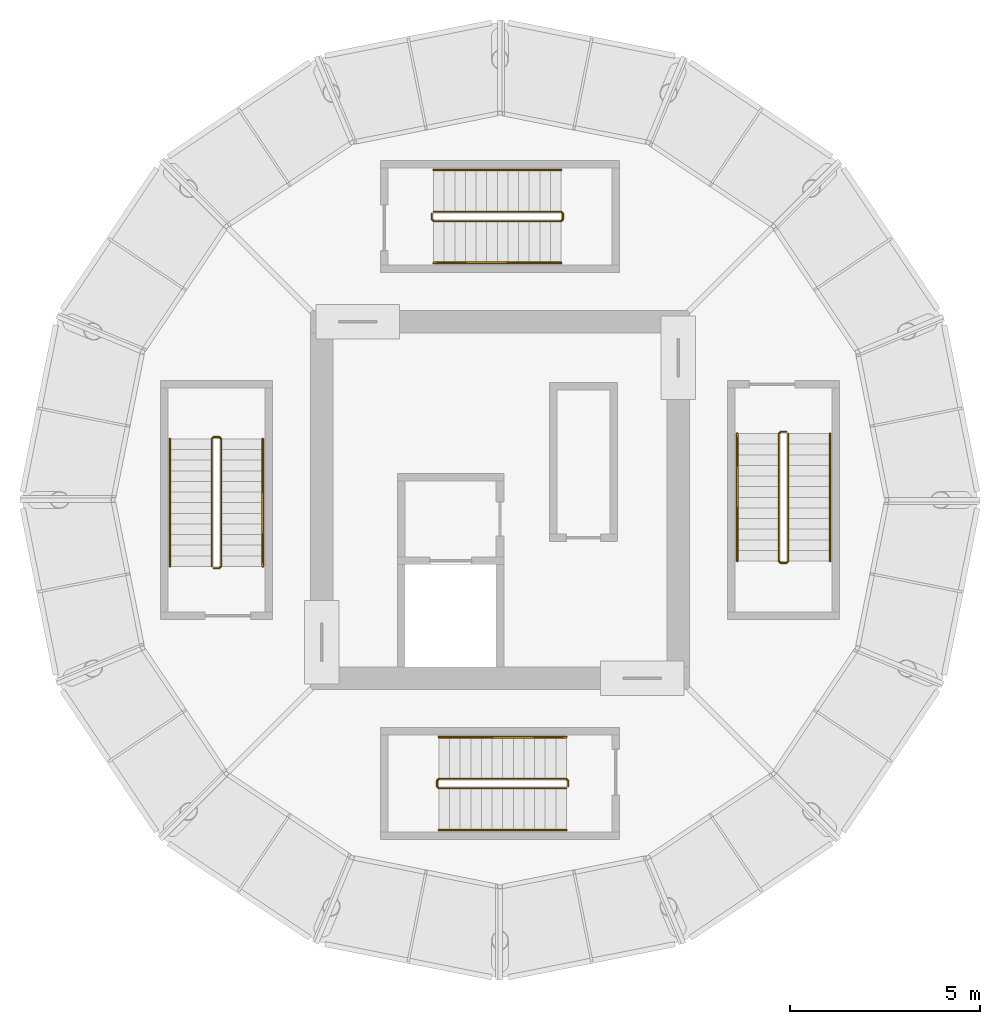
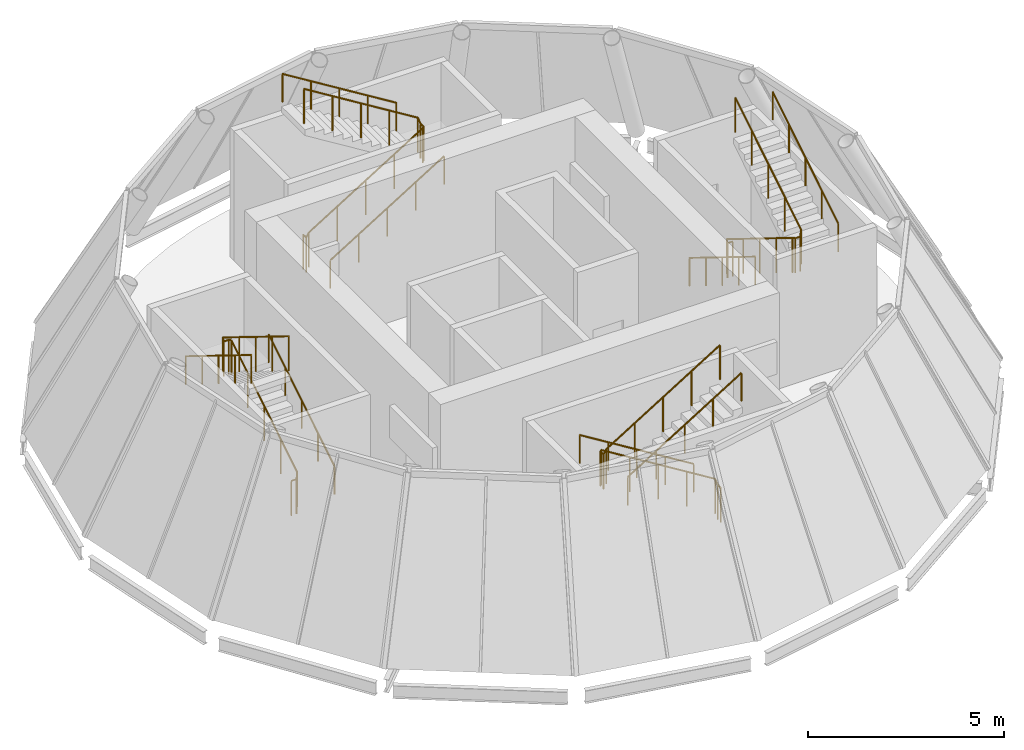
# One storey, part 5 of 5: 12 railings.
"""IFC4 building model written with IfcOpenShell, lengths in metres."""

from ifc_helpers import new_model, si_unit, direction, frame, origin, origin_2d, place, context, subcontext, project, spatial, circle, extrude, material, type_object, element, save


model = new_model("IFC4")

# Units and contexts
model_context = context("Model", 3, precision=1e-05, world=origin(), true_north=direction((0.0, 1.0)))
body_context = subcontext(model_context, "Body", "Model", "MODEL_VIEW")
ifc_project = project(units=[si_unit("LENGTHUNIT", "METRE"), si_unit("AREAUNIT", "SQUARE_METRE"), si_unit("VOLUMEUNIT", "CUBIC_METRE"), si_unit("PLANEANGLEUNIT", "RADIAN"), si_unit("MASSUNIT", "GRAM", prefix="KILO")], contexts=[model_context])

# Site, building, storey
site_placement = place(None, origin())
site = spatial("IfcSite", under=ifc_project, at=site_placement, CompositionType="ELEMENT")
building_placement = place(site_placement, origin())
building = spatial("IfcBuilding", under=site, at=building_placement, Name="Corvane Civic Tower", CompositionType="ELEMENT")
storey_placement = place(building_placement, frame((0.0, 0.0, 402.0)))
storey = spatial("IfcBuildingStorey", under=building, at=storey_placement, Name="L95", CompositionType="ELEMENT", Elevation=402.0)

# Railings
ifc_material_1 = material(Name="Steel ASTM A572 Gr 50", Category="steel")
railing_type_1 = type_object("IfcRailingType", Name="ST-GUARD-1100", PredefinedType="GUARDRAIL", material=ifc_material_1)
railing_1_placement = place(storey_placement, frame((7.550048828125, 1.800048828125, 0.0)))
element("IfcRailing", 1, at=railing_1_placement, inside=storey, type_object=railing_type_1, Name="L95 CS1 stair guard 1", PredefinedType="GUARDRAIL", context=body_context, shape_type="SweptSolid", body=[
    extrude(circle(Radius=0.02392578125, at=origin_2d()), frame((0.0, 0.0, 1.076171875), z_axis=(-1.0, 0.0, 0.0), x_axis=(0.0, -1.0, 0.0)), (0.0, 0.0, 1.0), 0.150146484375),
    extrude(circle(Radius=0.02392578125, at=origin_2d()), frame((-0.150146484375, 0.0, 1.076171875), z_axis=(-0.266417085129, -0.267723051232, 0.925929967433), x_axis=(0.708833529934, -0.705375805398, 0.0)), (0.0, 0.0, 1.0), 0.18701171875),
    extrude(circle(Radius=0.02392578125, at=origin_2d()), frame((-0.199951171875, -0.050048828125, 1.2490234375), z_axis=(0.0, -0.850623216509, 0.525775754039), x_axis=(1.0, 0.0, 0.0)), (0.0, 0.0, 1.0), 3.9501953125),
    extrude(circle(Radius=0.02392578125, at=origin_2d()), frame((-0.199951171875, -3.41015625, 3.326171875), z_axis=(0.707106781187, -0.707106781187, 0.0), x_axis=(0.707106781187, 0.707106781187, 0.0)), (0.0, 0.0, 1.0), 0.0703125),
    extrude(circle(Radius=0.02392578125, at=origin_2d()), frame((-0.150146484375, -3.4599609375, 3.326171875), z_axis=(1.0, 0.0, 0.0), x_axis=(0.0, 1.0, 0.0)), (0.0, 0.0, 1.0), 0.150146484375),
    extrude(circle(Radius=0.02392578125, at=origin_2d()), frame((0.0, -3.4599609375, 3.326171875), z_axis=(0.267723051232, 0.266417085129, 0.925929967433), x_axis=(-0.705375805398, 0.708833529934, 0.0)), (0.0, 0.0, 1.0), 0.18701171875),
    extrude(circle(Radius=0.02392578125, at=origin_2d()), frame((0.050048828125, -3.41015625, 3.4990234375), z_axis=(0.0, 0.850623216509, 0.525775754039), x_axis=(-1.0, 0.0, 0.0)), (0.0, 0.0, 1.0), 3.9501953125),
    extrude(circle(Radius=0.02099609375, at=origin_2d()), origin(), (0.0, 0.0, 1.0), 1.052001953125),
    extrude(circle(Radius=0.02099609375, at=origin_2d()), frame((-0.150146484375, 0.0, 0.0)), (0.0, 0.0, 1.0), 1.052001953125),
    extrude(circle(Radius=0.02099609375, at=origin_2d()), frame((-0.199951171875, -0.050048828125, 0.173095703125)), (0.0, 0.0, 1.0), 1.052001953125),
    extrude(circle(Radius=0.02099609375, at=origin_2d()), frame((-0.199951171875, -0.89013671875, 0.6923828125)), (0.0, 0.0, 1.0), 1.052001953125),
    extrude(circle(Radius=0.02099609375, at=origin_2d()), frame((-0.199951171875, -1.72998046875, 1.21142578125)), (0.0, 0.0, 1.0), 1.052001953125),
    extrude(circle(Radius=0.02099609375, at=origin_2d()), frame((-0.199951171875, -2.570068359375, 1.730712890625)), (0.0, 0.0, 1.0), 1.052001953125),
    extrude(circle(Radius=0.02099609375, at=origin_2d()), frame((-0.199951171875, -3.41015625, 2.25)), (0.0, 0.0, 1.0), 1.052001953125),
    extrude(circle(Radius=0.02099609375, at=origin_2d()), frame((-0.150146484375, -3.4599609375, 2.25)), (0.0, 0.0, 1.0), 1.052001953125),
    extrude(circle(Radius=0.02099609375, at=origin_2d()), frame((0.0, -3.4599609375, 2.25)), (0.0, 0.0, 1.0), 1.052001953125),
    extrude(circle(Radius=0.02099609375, at=origin_2d()), frame((0.050048828125, -3.41015625, 2.423095703125)), (0.0, 0.0, 1.0), 1.052001953125),
    extrude(circle(Radius=0.02099609375, at=origin_2d()), frame((0.050048828125, -2.570068359375, 2.9423828125)), (0.0, 0.0, 1.0), 1.052001953125),
    extrude(circle(Radius=0.02099609375, at=origin_2d()), frame((0.050048828125, -1.72998046875, 3.46142578125)), (0.0, 0.0, 1.0), 1.052001953125),
    extrude(circle(Radius=0.02099609375, at=origin_2d()), frame((0.050048828125, -0.89013671875, 3.980712890625)), (0.0, 0.0, 1.0), 1.052001953125),
    extrude(circle(Radius=0.02099609375, at=origin_2d()), frame((0.050048828125, -0.050048828125, 4.5)), (0.0, 0.0, 1.0), 1.052001953125),
])
railing_2_placement = place(storey_placement, frame((-1.800048828125, 7.550048828125, 0.0)))
element("IfcRailing", 2, at=railing_2_placement, inside=storey, type_object=railing_type_1, Name="L95 CS2 stair guard 1", PredefinedType="GUARDRAIL", context=body_context, shape_type="SweptSolid", body=[
    extrude(circle(Radius=0.02392578125, at=origin_2d()), frame((0.0, 0.0, 1.076171875), z_axis=(0.0, -1.0, 0.0), x_axis=(1.0, 0.0, 0.0)), (0.0, 0.0, 1.0), 0.150146484375),
    extrude(circle(Radius=0.02392578125, at=origin_2d()), frame((0.0, -0.150146484375, 1.076171875), z_axis=(0.267723051232, -0.266417085129, 0.925929967433), x_axis=(0.705375805398, 0.708833529934, 0.0)), (0.0, 0.0, 1.0), 0.18701171875),
    extrude(circle(Radius=0.02392578125, at=origin_2d()), frame((0.050048828125, -0.199951171875, 1.2490234375), z_axis=(0.850623216509, 0.0, 0.525775754039), x_axis=(0.0, 1.0, 0.0)), (0.0, 0.0, 1.0), 3.9501953125),
    extrude(circle(Radius=0.02392578125, at=origin_2d()), frame((3.41015625, -0.199951171875, 3.326171875), z_axis=(0.707106781187, 0.707106781187, 0.0), x_axis=(-0.707106781187, 0.707106781187, 0.0)), (0.0, 0.0, 1.0), 0.0703125),
    extrude(circle(Radius=0.02392578125, at=origin_2d()), frame((3.4599609375, -0.150146484375, 3.326171875), z_axis=(0.0, 1.0, 0.0), x_axis=(-1.0, 0.0, 0.0)), (0.0, 0.0, 1.0), 0.150146484375),
    extrude(circle(Radius=0.02392578125, at=origin_2d()), frame((3.4599609375, 0.0, 3.326171875), z_axis=(-0.266417085129, 0.267723051232, 0.925929967433), x_axis=(-0.708833529934, -0.705375805398, 0.0)), (0.0, 0.0, 1.0), 0.18701171875),
    extrude(circle(Radius=0.02392578125, at=origin_2d()), frame((3.41015625, 0.050048828125, 3.4990234375), z_axis=(-0.850623216509, 0.0, 0.525775754039), x_axis=(0.0, -1.0, 0.0)), (0.0, 0.0, 1.0), 3.9501953125),
    extrude(circle(Radius=0.02099609375, at=origin_2d()), origin(), (0.0, 0.0, 1.0), 1.052001953125),
    extrude(circle(Radius=0.02099609375, at=origin_2d()), frame((0.0, -0.150146484375, 0.0)), (0.0, 0.0, 1.0), 1.052001953125),
    extrude(circle(Radius=0.02099609375, at=origin_2d()), frame((0.050048828125, -0.199951171875, 0.173095703125)), (0.0, 0.0, 1.0), 1.052001953125),
    extrude(circle(Radius=0.02099609375, at=origin_2d()), frame((0.89013671875, -0.199951171875, 0.6923828125)), (0.0, 0.0, 1.0), 1.052001953125),
    extrude(circle(Radius=0.02099609375, at=origin_2d()), frame((1.72998046875, -0.199951171875, 1.21142578125)), (0.0, 0.0, 1.0), 1.052001953125),
    extrude(circle(Radius=0.02099609375, at=origin_2d()), frame((2.570068359375, -0.199951171875, 1.730712890625)), (0.0, 0.0, 1.0), 1.052001953125),
    extrude(circle(Radius=0.02099609375, at=origin_2d()), frame((3.41015625, -0.199951171875, 2.25)), (0.0, 0.0, 1.0), 1.052001953125),
    extrude(circle(Radius=0.02099609375, at=origin_2d()), frame((3.4599609375, -0.150146484375, 2.25)), (0.0, 0.0, 1.0), 1.052001953125),
    extrude(circle(Radius=0.02099609375, at=origin_2d()), frame((3.4599609375, 0.0, 2.25)), (0.0, 0.0, 1.0), 1.052001953125),
    extrude(circle(Radius=0.02099609375, at=origin_2d()), frame((3.41015625, 0.050048828125, 2.423095703125)), (0.0, 0.0, 1.0), 1.052001953125),
    extrude(circle(Radius=0.02099609375, at=origin_2d()), frame((2.570068359375, 0.050048828125, 2.9423828125)), (0.0, 0.0, 1.0), 1.052001953125),
    extrude(circle(Radius=0.02099609375, at=origin_2d()), frame((1.72998046875, 0.050048828125, 3.46142578125)), (0.0, 0.0, 1.0), 1.052001953125),
    extrude(circle(Radius=0.02099609375, at=origin_2d()), frame((0.89013671875, 0.050048828125, 3.980712890625)), (0.0, 0.0, 1.0), 1.052001953125),
    extrude(circle(Radius=0.02099609375, at=origin_2d()), frame((0.050048828125, 0.050048828125, 4.5)), (0.0, 0.0, 1.0), 1.052001953125),
])
railing_3_placement = place(storey_placement, frame((-7.550048828125, -1.800048828125, 0.0)))
element("IfcRailing", 3, at=railing_3_placement, inside=storey, type_object=railing_type_1, Name="L95 CS3 stair guard 1", PredefinedType="GUARDRAIL", context=body_context, shape_type="SweptSolid", body=[
    extrude(circle(Radius=0.02392578125, at=origin_2d()), frame((0.0, 0.0, 1.076171875), z_axis=(1.0, 0.0, 0.0), x_axis=(0.0, 1.0, 0.0)), (0.0, 0.0, 1.0), 0.150146484375),
    extrude(circle(Radius=0.02392578125, at=origin_2d()), frame((0.150146484375, 0.0, 1.076171875), z_axis=(0.266417085129, 0.267723051232, 0.925929967433), x_axis=(-0.708833529934, 0.705375805398, 0.0)), (0.0, 0.0, 1.0), 0.18701171875),
    extrude(circle(Radius=0.02392578125, at=origin_2d()), frame((0.199951171875, 0.050048828125, 1.2490234375), z_axis=(0.0, 0.850623216509, 0.525775754039), x_axis=(-1.0, 0.0, 0.0)), (0.0, 0.0, 1.0), 3.9501953125),
    extrude(circle(Radius=0.02392578125, at=origin_2d()), frame((0.199951171875, 3.41015625, 3.326171875), z_axis=(-0.707106781187, 0.707106781187, 0.0), x_axis=(-0.707106781187, -0.707106781187, 0.0)), (0.0, 0.0, 1.0), 0.0703125),
    extrude(circle(Radius=0.02392578125, at=origin_2d()), frame((0.150146484375, 3.4599609375, 3.326171875), z_axis=(-1.0, 0.0, 0.0), x_axis=(0.0, -1.0, 0.0)), (0.0, 0.0, 1.0), 0.150146484375),
    extrude(circle(Radius=0.02392578125, at=origin_2d()), frame((0.0, 3.4599609375, 3.326171875), z_axis=(-0.267723051232, -0.266417085129, 0.925929967433), x_axis=(0.705375805398, -0.708833529934, 0.0)), (0.0, 0.0, 1.0), 0.18701171875),
    extrude(circle(Radius=0.02392578125, at=origin_2d()), frame((-0.050048828125, 3.41015625, 3.4990234375), z_axis=(0.0, -0.850623216509, 0.525775754039), x_axis=(1.0, 0.0, 0.0)), (0.0, 0.0, 1.0), 3.9501953125),
    extrude(circle(Radius=0.02099609375, at=origin_2d()), origin(), (0.0, 0.0, 1.0), 1.052001953125),
    extrude(circle(Radius=0.02099609375, at=origin_2d()), frame((0.150146484375, 0.0, 0.0)), (0.0, 0.0, 1.0), 1.052001953125),
    extrude(circle(Radius=0.02099609375, at=origin_2d()), frame((0.199951171875, 0.050048828125, 0.173095703125)), (0.0, 0.0, 1.0), 1.052001953125),
    extrude(circle(Radius=0.02099609375, at=origin_2d()), frame((0.199951171875, 0.89013671875, 0.6923828125)), (0.0, 0.0, 1.0), 1.052001953125),
    extrude(circle(Radius=0.02099609375, at=origin_2d()), frame((0.199951171875, 1.72998046875, 1.21142578125)), (0.0, 0.0, 1.0), 1.052001953125),
    extrude(circle(Radius=0.02099609375, at=origin_2d()), frame((0.199951171875, 2.570068359375, 1.730712890625)), (0.0, 0.0, 1.0), 1.052001953125),
    extrude(circle(Radius=0.02099609375, at=origin_2d()), frame((0.199951171875, 3.41015625, 2.25)), (0.0, 0.0, 1.0), 1.052001953125),
    extrude(circle(Radius=0.02099609375, at=origin_2d()), frame((0.150146484375, 3.4599609375, 2.25)), (0.0, 0.0, 1.0), 1.052001953125),
    extrude(circle(Radius=0.02099609375, at=origin_2d()), frame((0.0, 3.4599609375, 2.25)), (0.0, 0.0, 1.0), 1.052001953125),
    extrude(circle(Radius=0.02099609375, at=origin_2d()), frame((-0.050048828125, 3.41015625, 2.423095703125)), (0.0, 0.0, 1.0), 1.052001953125),
    extrude(circle(Radius=0.02099609375, at=origin_2d()), frame((-0.050048828125, 2.570068359375, 2.9423828125)), (0.0, 0.0, 1.0), 1.052001953125),
    extrude(circle(Radius=0.02099609375, at=origin_2d()), frame((-0.050048828125, 1.72998046875, 3.46142578125)), (0.0, 0.0, 1.0), 1.052001953125),
    extrude(circle(Radius=0.02099609375, at=origin_2d()), frame((-0.050048828125, 0.89013671875, 3.980712890625)), (0.0, 0.0, 1.0), 1.052001953125),
    extrude(circle(Radius=0.02099609375, at=origin_2d()), frame((-0.050048828125, 0.050048828125, 4.5)), (0.0, 0.0, 1.0), 1.052001953125),
])
railing_4_placement = place(storey_placement, frame((1.800048828125, -7.550048828125, 0.0)))
element("IfcRailing", 4, at=railing_4_placement, inside=storey, type_object=railing_type_1, Name="L95 CS4 stair guard 1", PredefinedType="GUARDRAIL", context=body_context, shape_type="SweptSolid", body=[
    extrude(circle(Radius=0.02392578125, at=origin_2d()), frame((0.0, 0.0, 1.076171875), z_axis=(0.0, 1.0, 0.0), x_axis=(-1.0, 0.0, 0.0)), (0.0, 0.0, 1.0), 0.150146484375),
    extrude(circle(Radius=0.02392578125, at=origin_2d()), frame((0.0, 0.150146484375, 1.076171875), z_axis=(-0.267723051232, 0.266417085129, 0.925929967433), x_axis=(-0.705375805398, -0.708833529934, 0.0)), (0.0, 0.0, 1.0), 0.18701171875),
    extrude(circle(Radius=0.02392578125, at=origin_2d()), frame((-0.050048828125, 0.199951171875, 1.2490234375), z_axis=(-0.850623216509, 0.0, 0.525775754039), x_axis=(0.0, -1.0, 0.0)), (0.0, 0.0, 1.0), 3.9501953125),
    extrude(circle(Radius=0.02392578125, at=origin_2d()), frame((-3.41015625, 0.199951171875, 3.326171875), z_axis=(-0.707106781187, -0.707106781187, 0.0), x_axis=(0.707106781187, -0.707106781187, 0.0)), (0.0, 0.0, 1.0), 0.0703125),
    extrude(circle(Radius=0.02392578125, at=origin_2d()), frame((-3.4599609375, 0.150146484375, 3.326171875), z_axis=(0.0, -1.0, 0.0), x_axis=(1.0, 0.0, 0.0)), (0.0, 0.0, 1.0), 0.150146484375),
    extrude(circle(Radius=0.02392578125, at=origin_2d()), frame((-3.4599609375, 0.0, 3.326171875), z_axis=(0.266417085129, -0.267723051232, 0.925929967433), x_axis=(0.708833529934, 0.705375805398, 0.0)), (0.0, 0.0, 1.0), 0.18701171875),
    extrude(circle(Radius=0.02392578125, at=origin_2d()), frame((-3.41015625, -0.050048828125, 3.4990234375), z_axis=(0.850623216509, 0.0, 0.525775754039), x_axis=(0.0, 1.0, 0.0)), (0.0, 0.0, 1.0), 3.9501953125),
    extrude(circle(Radius=0.02099609375, at=origin_2d()), origin(), (0.0, 0.0, 1.0), 1.052001953125),
    extrude(circle(Radius=0.02099609375, at=origin_2d()), frame((0.0, 0.150146484375, 0.0)), (0.0, 0.0, 1.0), 1.052001953125),
    extrude(circle(Radius=0.02099609375, at=origin_2d()), frame((-0.050048828125, 0.199951171875, 0.173095703125)), (0.0, 0.0, 1.0), 1.052001953125),
    extrude(circle(Radius=0.02099609375, at=origin_2d()), frame((-0.89013671875, 0.199951171875, 0.6923828125)), (0.0, 0.0, 1.0), 1.052001953125),
    extrude(circle(Radius=0.02099609375, at=origin_2d()), frame((-1.72998046875, 0.199951171875, 1.21142578125)), (0.0, 0.0, 1.0), 1.052001953125),
    extrude(circle(Radius=0.02099609375, at=origin_2d()), frame((-2.570068359375, 0.199951171875, 1.730712890625)), (0.0, 0.0, 1.0), 1.052001953125),
    extrude(circle(Radius=0.02099609375, at=origin_2d()), frame((-3.41015625, 0.199951171875, 2.25)), (0.0, 0.0, 1.0), 1.052001953125),
    extrude(circle(Radius=0.02099609375, at=origin_2d()), frame((-3.4599609375, 0.150146484375, 2.25)), (0.0, 0.0, 1.0), 1.052001953125),
    extrude(circle(Radius=0.02099609375, at=origin_2d()), frame((-3.4599609375, 0.0, 2.25)), (0.0, 0.0, 1.0), 1.052001953125),
    extrude(circle(Radius=0.02099609375, at=origin_2d()), frame((-3.41015625, -0.050048828125, 2.423095703125)), (0.0, 0.0, 1.0), 1.052001953125),
    extrude(circle(Radius=0.02099609375, at=origin_2d()), frame((-2.570068359375, -0.050048828125, 2.9423828125)), (0.0, 0.0, 1.0), 1.052001953125),
    extrude(circle(Radius=0.02099609375, at=origin_2d()), frame((-1.72998046875, -0.050048828125, 3.46142578125)), (0.0, 0.0, 1.0), 1.052001953125),
    extrude(circle(Radius=0.02099609375, at=origin_2d()), frame((-0.89013671875, -0.050048828125, 3.980712890625)), (0.0, 0.0, 1.0), 1.052001953125),
    extrude(circle(Radius=0.02099609375, at=origin_2d()), frame((-0.050048828125, -0.050048828125, 4.5)), (0.0, 0.0, 1.0), 1.052001953125),
])
ifc_material_2 = material(Name="Steel ASTM A572 Gr 50", Category="steel")
railing_type_2 = type_object("IfcRailingType", Name="ST-HANDRAIL-900", PredefinedType="HANDRAIL", material=ifc_material_2)
railing_5_placement = place(storey_placement, frame((6.25, 1.75, 0.173095703125)))
element("IfcRailing", 5, at=railing_5_placement, inside=storey, type_object=railing_type_2, Name="L95 CS1 stair handrail 1", PredefinedType="HANDRAIL", context=body_context, shape_type="SweptSolid", body=[
    extrude(circle(Radius=0.02392578125, at=origin_2d()), frame((0.0, 0.0, 0.8759765625), z_axis=(0.0, -0.850623216509, 0.525775754039), x_axis=(1.0, 0.0, 0.0)), (0.0, 0.0, 1.0), 3.9501953125),
    extrude(circle(Radius=0.02099609375, at=origin_2d()), origin(), (0.0, 0.0, 1.0), 0.851806640625),
    extrude(circle(Radius=0.02099609375, at=origin_2d()), frame((0.0, -0.840087890625, 0.519287109375)), (0.0, 0.0, 1.0), 0.851806640625),
    extrude(circle(Radius=0.02099609375, at=origin_2d()), frame((0.0, -1.68017578125, 1.03857421875)), (0.0, 0.0, 1.0), 0.851806640625),
    extrude(circle(Radius=0.02099609375, at=origin_2d()), frame((0.0, -2.52001953125, 1.5576171875)), (0.0, 0.0, 1.0), 0.851806640625),
    extrude(circle(Radius=0.02099609375, at=origin_2d()), frame((0.0, -3.360107421875, 2.076904296875)), (0.0, 0.0, 1.0), 0.851806640625),
])
railing_6_placement = place(storey_placement, frame((8.699951171875, -1.610107421875, 2.423095703125)))
element("IfcRailing", 6, at=railing_6_placement, inside=storey, type_object=railing_type_2, Name="L95 CS1 stair handrail 2", PredefinedType="HANDRAIL", context=body_context, shape_type="SweptSolid", body=[
    extrude(circle(Radius=0.02392578125, at=origin_2d()), frame((0.0, 0.0, 0.8759765625), z_axis=(0.0, 0.850623216509, 0.525775754039), x_axis=(-1.0, 0.0, 0.0)), (0.0, 0.0, 1.0), 3.9501953125),
    extrude(circle(Radius=0.02099609375, at=origin_2d()), origin(), (0.0, 0.0, 1.0), 0.851806640625),
    extrude(circle(Radius=0.02099609375, at=origin_2d()), frame((0.0, 0.840087890625, 0.519287109375)), (0.0, 0.0, 1.0), 0.851806640625),
    extrude(circle(Radius=0.02099609375, at=origin_2d()), frame((0.0, 1.68017578125, 1.03857421875)), (0.0, 0.0, 1.0), 0.851806640625),
    extrude(circle(Radius=0.02099609375, at=origin_2d()), frame((0.0, 2.52001953125, 1.5576171875)), (0.0, 0.0, 1.0), 0.851806640625),
    extrude(circle(Radius=0.02099609375, at=origin_2d()), frame((0.0, 3.360107421875, 2.076904296875)), (0.0, 0.0, 1.0), 0.851806640625),
])
railing_7_placement = place(storey_placement, frame((-1.75, 6.25, 0.173095703125)))
element("IfcRailing", 7, at=railing_7_placement, inside=storey, type_object=railing_type_2, Name="L95 CS2 stair handrail 1", PredefinedType="HANDRAIL", context=body_context, shape_type="SweptSolid", body=[
    extrude(circle(Radius=0.02392578125, at=origin_2d()), frame((0.0, 0.0, 0.8759765625), z_axis=(0.850623216509, 0.0, 0.525775754039), x_axis=(0.0, 1.0, 0.0)), (0.0, 0.0, 1.0), 3.9501953125),
    extrude(circle(Radius=0.02099609375, at=origin_2d()), origin(), (0.0, 0.0, 1.0), 0.851806640625),
    extrude(circle(Radius=0.02099609375, at=origin_2d()), frame((0.840087890625, 0.0, 0.519287109375)), (0.0, 0.0, 1.0), 0.851806640625),
    extrude(circle(Radius=0.02099609375, at=origin_2d()), frame((1.68017578125, 0.0, 1.03857421875)), (0.0, 0.0, 1.0), 0.851806640625),
    extrude(circle(Radius=0.02099609375, at=origin_2d()), frame((2.52001953125, 0.0, 1.5576171875)), (0.0, 0.0, 1.0), 0.851806640625),
    extrude(circle(Radius=0.02099609375, at=origin_2d()), frame((3.360107421875, 0.0, 2.076904296875)), (0.0, 0.0, 1.0), 0.851806640625),
])
railing_8_placement = place(storey_placement, frame((1.610107421875, 8.699951171875, 2.423095703125)))
element("IfcRailing", 8, at=railing_8_placement, inside=storey, type_object=railing_type_2, Name="L95 CS2 stair handrail 2", PredefinedType="HANDRAIL", context=body_context, shape_type="SweptSolid", body=[
    extrude(circle(Radius=0.02392578125, at=origin_2d()), frame((0.0, 0.0, 0.8759765625), z_axis=(-0.850623216509, 0.0, 0.525775754039), x_axis=(0.0, -1.0, 0.0)), (0.0, 0.0, 1.0), 3.9501953125),
    extrude(circle(Radius=0.02099609375, at=origin_2d()), origin(), (0.0, 0.0, 1.0), 0.851806640625),
    extrude(circle(Radius=0.02099609375, at=origin_2d()), frame((-0.840087890625, 0.0, 0.519287109375)), (0.0, 0.0, 1.0), 0.851806640625),
    extrude(circle(Radius=0.02099609375, at=origin_2d()), frame((-1.68017578125, 0.0, 1.03857421875)), (0.0, 0.0, 1.0), 0.851806640625),
    extrude(circle(Radius=0.02099609375, at=origin_2d()), frame((-2.52001953125, 0.0, 1.5576171875)), (0.0, 0.0, 1.0), 0.851806640625),
    extrude(circle(Radius=0.02099609375, at=origin_2d()), frame((-3.360107421875, 0.0, 2.076904296875)), (0.0, 0.0, 1.0), 0.851806640625),
])
railing_9_placement = place(storey_placement, frame((-6.25, -1.75, 0.173095703125)))
element("IfcRailing", 9, at=railing_9_placement, inside=storey, type_object=railing_type_2, Name="L95 CS3 stair handrail 1", PredefinedType="HANDRAIL", context=body_context, shape_type="SweptSolid", body=[
    extrude(circle(Radius=0.02392578125, at=origin_2d()), frame((0.0, 0.0, 0.8759765625), z_axis=(0.0, 0.850623216509, 0.525775754039), x_axis=(-1.0, 0.0, 0.0)), (0.0, 0.0, 1.0), 3.9501953125),
    extrude(circle(Radius=0.02099609375, at=origin_2d()), origin(), (0.0, 0.0, 1.0), 0.851806640625),
    extrude(circle(Radius=0.02099609375, at=origin_2d()), frame((0.0, 0.840087890625, 0.519287109375)), (0.0, 0.0, 1.0), 0.851806640625),
    extrude(circle(Radius=0.02099609375, at=origin_2d()), frame((0.0, 1.68017578125, 1.03857421875)), (0.0, 0.0, 1.0), 0.851806640625),
    extrude(circle(Radius=0.02099609375, at=origin_2d()), frame((0.0, 2.52001953125, 1.5576171875)), (0.0, 0.0, 1.0), 0.851806640625),
    extrude(circle(Radius=0.02099609375, at=origin_2d()), frame((0.0, 3.360107421875, 2.076904296875)), (0.0, 0.0, 1.0), 0.851806640625),
])
railing_10_placement = place(storey_placement, frame((-8.699951171875, 1.610107421875, 2.423095703125)))
element("IfcRailing", 10, at=railing_10_placement, inside=storey, type_object=railing_type_2, Name="L95 CS3 stair handrail 2", PredefinedType="HANDRAIL", context=body_context, shape_type="SweptSolid", body=[
    extrude(circle(Radius=0.02392578125, at=origin_2d()), frame((0.0, 0.0, 0.8759765625), z_axis=(0.0, -0.850623216509, 0.525775754039), x_axis=(1.0, 0.0, 0.0)), (0.0, 0.0, 1.0), 3.9501953125),
    extrude(circle(Radius=0.02099609375, at=origin_2d()), origin(), (0.0, 0.0, 1.0), 0.851806640625),
    extrude(circle(Radius=0.02099609375, at=origin_2d()), frame((0.0, -0.840087890625, 0.519287109375)), (0.0, 0.0, 1.0), 0.851806640625),
    extrude(circle(Radius=0.02099609375, at=origin_2d()), frame((0.0, -1.68017578125, 1.03857421875)), (0.0, 0.0, 1.0), 0.851806640625),
    extrude(circle(Radius=0.02099609375, at=origin_2d()), frame((0.0, -2.52001953125, 1.5576171875)), (0.0, 0.0, 1.0), 0.851806640625),
    extrude(circle(Radius=0.02099609375, at=origin_2d()), frame((0.0, -3.360107421875, 2.076904296875)), (0.0, 0.0, 1.0), 0.851806640625),
])
railing_11_placement = place(storey_placement, frame((1.75, -6.25, 0.173095703125)))
element("IfcRailing", 11, at=railing_11_placement, inside=storey, type_object=railing_type_2, Name="L95 CS4 stair handrail 1", PredefinedType="HANDRAIL", context=body_context, shape_type="SweptSolid", body=[
    extrude(circle(Radius=0.02392578125, at=origin_2d()), frame((0.0, 0.0, 0.8759765625), z_axis=(-0.850623216509, 0.0, 0.525775754039), x_axis=(0.0, -1.0, 0.0)), (0.0, 0.0, 1.0), 3.9501953125),
    extrude(circle(Radius=0.02099609375, at=origin_2d()), origin(), (0.0, 0.0, 1.0), 0.851806640625),
    extrude(circle(Radius=0.02099609375, at=origin_2d()), frame((-0.840087890625, 0.0, 0.519287109375)), (0.0, 0.0, 1.0), 0.851806640625),
    extrude(circle(Radius=0.02099609375, at=origin_2d()), frame((-1.68017578125, 0.0, 1.03857421875)), (0.0, 0.0, 1.0), 0.851806640625),
    extrude(circle(Radius=0.02099609375, at=origin_2d()), frame((-2.52001953125, 0.0, 1.5576171875)), (0.0, 0.0, 1.0), 0.851806640625),
    extrude(circle(Radius=0.02099609375, at=origin_2d()), frame((-3.360107421875, 0.0, 2.076904296875)), (0.0, 0.0, 1.0), 0.851806640625),
])
railing_12_placement = place(storey_placement, frame((-1.610107421875, -8.699951171875, 2.423095703125)))
element("IfcRailing", 12, at=railing_12_placement, inside=storey, type_object=railing_type_2, Name="L95 CS4 stair handrail 2", PredefinedType="HANDRAIL", context=body_context, shape_type="SweptSolid", body=[
    extrude(circle(Radius=0.02392578125, at=origin_2d()), frame((0.0, 0.0, 0.8759765625), z_axis=(0.850623216509, 0.0, 0.525775754039), x_axis=(0.0, 1.0, 0.0)), (0.0, 0.0, 1.0), 3.9501953125),
    extrude(circle(Radius=0.02099609375, at=origin_2d()), origin(), (0.0, 0.0, 1.0), 0.851806640625),
    extrude(circle(Radius=0.02099609375, at=origin_2d()), frame((0.840087890625, 0.0, 0.519287109375)), (0.0, 0.0, 1.0), 0.851806640625),
    extrude(circle(Radius=0.02099609375, at=origin_2d()), frame((1.68017578125, 0.0, 1.03857421875)), (0.0, 0.0, 1.0), 0.851806640625),
    extrude(circle(Radius=0.02099609375, at=origin_2d()), frame((2.52001953125, 0.0, 1.5576171875)), (0.0, 0.0, 1.0), 0.851806640625),
    extrude(circle(Radius=0.02099609375, at=origin_2d()), frame((3.360107421875, 0.0, 2.076904296875)), (0.0, 0.0, 1.0), 0.851806640625),
])

save(model, "model.ifc")
